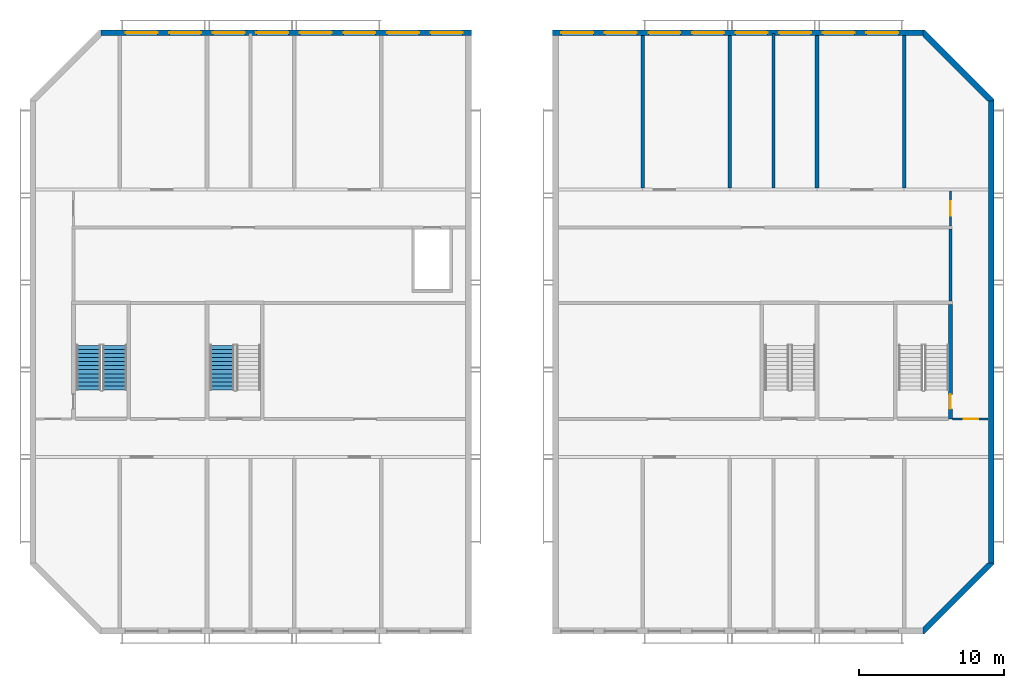
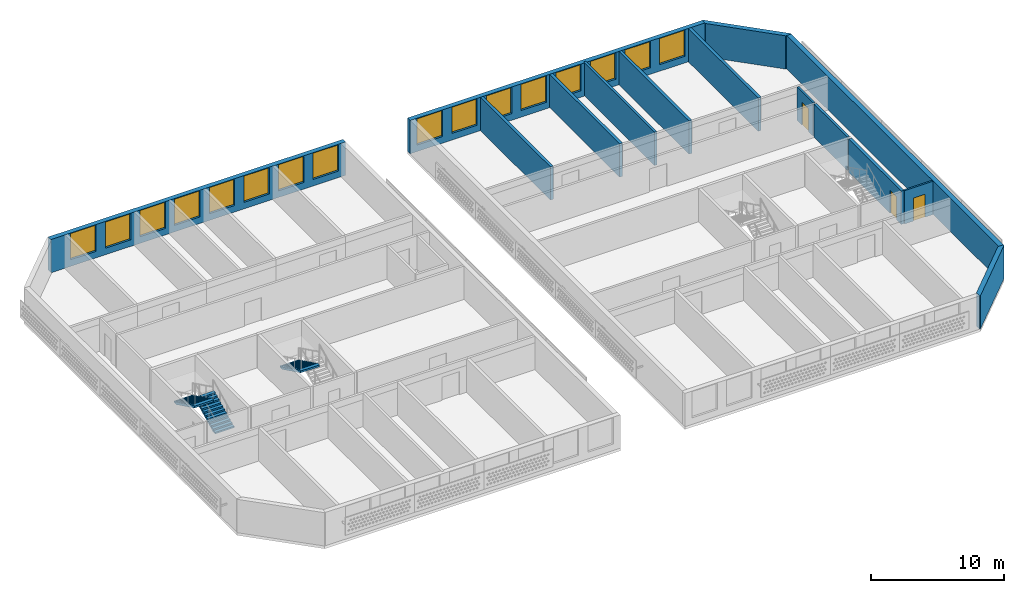
# One storey, part 4 of 18: 16 windows, 14 walls, 3 doors, 3 stair flights, 19 openings, 2 elements without a shape of their own.
"""IFC4 building model written with IfcOpenShell, lengths in metres."""

import ifcopenshell
import ifcopenshell.guid

model = None  # the IFC model being written
_history = None  # IfcOwnerHistory: only IFC2X3 demands one
_inside = {}  # id of a spatial element -> (the spatial element, [elements in it])
_under = {}  # id of a project, library or spatial element -> (it, [spatial elements below it])
_declared = {}  # id of a project -> (the project, [libraries it declares])
_typed = {}  # id of a type object -> (the type object, [elements of that type])
_made_of = {}  # id of a material, layer set ... -> (it, [elements and type objects made of it])


def new_model(schema):
    """Start an empty IFC model of exactly this schema.

    Asked for "IFC4X3", IfcOpenShell would pick the latest addendum, in which some entities
    have other attributes; the version numbers below select the first issue.
    IFC2X3 requires an IfcOwnerHistory on every rooted entity: one is made here for all.
    """
    global model, _history
    if schema == "IFC4X3":
        model = ifcopenshell.file(schema_version=(4, 3, 0, 0))
    else:
        model = ifcopenshell.file(schema=schema)
    _inside.clear()
    _under.clear()
    _declared.clear()
    _typed.clear()
    _made_of.clear()
    _history = None
    if model.schema == "IFC2X3":
        org = make("IfcOrganization", Name="unknown")
        user = make(
            "IfcPersonAndOrganization",
            ThePerson=make("IfcPerson", FamilyName="unknown"),
            TheOrganization=org,
        )
        app = make(
            "IfcApplication",
            ApplicationDeveloper=org,
            Version="unknown",
            ApplicationFullName="unknown",
            ApplicationIdentifier="unknown",
        )
        _history = make(
            "IfcOwnerHistory",
            OwningUser=user,
            OwningApplication=app,
            ChangeAction="ADDED",
            CreationDate=0,
        )
    return model


def make(cls, **values):
    """One entity of the class cls with the attributes given. An attribute that is None is left unset."""
    return model.create_entity(
        cls, **{name: value for name, value in values.items() if value is not None}
    )


def rooted(cls, **values):
    """An entity with a GlobalId (a new one), such as an element, a storey or a relation."""
    return make(cls, GlobalId=ifcopenshell.guid.new(), OwnerHistory=_history, **values)


def si_unit(unit_type, name, prefix=None):
    """IfcSIUnit, for example si_unit("LENGTHUNIT", "METRE", prefix="MILLI")."""
    return make("IfcSIUnit", UnitType=unit_type, Prefix=prefix, Name=name)


def assignment(units):
    """IfcUnitAssignment: the units of a project."""
    return None if units is None else make("IfcUnitAssignment", Units=units)


def point(xyz):
    """IfcCartesianPoint."""
    return None if xyz is None else make("IfcCartesianPoint", Coordinates=xyz)


def direction(xyz):
    """IfcDirection."""
    return None if xyz is None else make("IfcDirection", DirectionRatios=xyz)


def frame(location, z_axis=None, x_axis=None):
    """IfcAxis2Placement3D, a coordinate frame: its origin and axes. An axis left out is left unset."""
    return make(
        "IfcAxis2Placement3D",
        Location=point(location),
        Axis=direction(z_axis),
        RefDirection=direction(x_axis),
    )


def frame_2d(location, x_axis=None):
    """IfcAxis2Placement2D, a coordinate frame in the plane: its origin and x axis."""
    return make(
        "IfcAxis2Placement2D", Location=point(location), RefDirection=direction(x_axis)
    )


def origin():
    """The frame at (0, 0, 0) with its axes left unset."""
    return frame((0.0, 0.0, 0.0))


def place(relative_to, where):
    """IfcLocalPlacement: puts the frame where relative to a parent placement (None: the world)."""
    return make(
        "IfcLocalPlacement", PlacementRelTo=relative_to, RelativePlacement=where
    )


def context(
    kind, dimensions, precision=None, world=None, true_north=None, identifier=None
):
    """IfcGeometricRepresentationContext, for example the 3D "Model" context."""
    return make(
        "IfcGeometricRepresentationContext",
        ContextIdentifier=identifier,
        ContextType=kind,
        CoordinateSpaceDimension=dimensions,
        Precision=precision,
        WorldCoordinateSystem=world,
        TrueNorth=true_north,
    )


def subcontext(parent, identifier, kind, view, scale=None):
    """IfcGeometricRepresentationSubContext, for example "Body" below "Model"."""
    return make(
        "IfcGeometricRepresentationSubContext",
        ContextIdentifier=identifier,
        ContextType=kind,
        ParentContext=parent,
        TargetScale=scale,
        TargetView=view,
    )


def project(units=None, contexts=None):
    """IfcProject with its units and contexts."""
    return rooted(
        "IfcProject",
        Name="project",
        RepresentationContexts=contexts,
        UnitsInContext=assignment(units),
    )


def spatial(cls, under=None, at=None, **own):
    """A site, building, storey or space (cls), placed at a placement, below another one or the project."""
    s = rooted(cls, ObjectPlacement=at, **own)
    if under is not None:
        _under.setdefault(under.id(), (under, []))[1].append(s)
    return s


def polyline(points):
    """IfcPolyline through the points."""
    return make("IfcPolyline", Points=[point(p) for p in points])


def profile(cls, at=None, kind="AREA", **sizes):
    """A parametric profile (cls). Its sizes go by their IFC names, for example OverallWidth=200.0."""
    return make(cls, ProfileType=kind, Position=at, **sizes)


def rectangle(**sizes):
    """IfcRectangleProfileDef."""
    return profile("IfcRectangleProfileDef", **sizes)


def outline(outer, holes=None, kind="AREA"):
    """IfcArbitraryClosedProfileDef: a profile drawn as a closed curve; with holes, ...WithVoids."""
    if holes is None:
        return make("IfcArbitraryClosedProfileDef", ProfileType=kind, OuterCurve=outer)
    return make(
        "IfcArbitraryProfileDefWithVoids",
        ProfileType=kind,
        OuterCurve=outer,
        InnerCurves=holes,
    )


def extrude(swept, where, along, depth):
    """IfcExtrudedAreaSolid: the profile swept, set in the frame where, extruded along a direction by depth."""
    return make(
        "IfcExtrudedAreaSolid",
        SweptArea=swept,
        Position=where,
        ExtrudedDirection=direction(along),
        Depth=depth,
    )


def shape(context_of_items, identifier, shape_type, items):
    """IfcShapeRepresentation: the items that make up one representation, for example the "Body"."""
    return make(
        "IfcShapeRepresentation",
        ContextOfItems=context_of_items,
        RepresentationIdentifier=identifier,
        RepresentationType=shape_type,
        Items=items,
    )


def material(Name=None, Category=None):
    """IfcMaterial."""
    return make("IfcMaterial", Name=Name, Category=Category)


def layer(
    of_material, thickness, ventilated=None, Name=None, Category=None, Priority=None
):
    """IfcMaterialLayer: one layer of a wall or slab, of a material (None: an air gap)."""
    return make(
        "IfcMaterialLayer",
        Material=of_material,
        LayerThickness=thickness,
        IsVentilated=ventilated,
        Name=Name,
        Category=Category,
        Priority=Priority,
    )


def layer_set(layers, Name=None):
    """IfcMaterialLayerSet."""
    return make("IfcMaterialLayerSet", MaterialLayers=layers, LayerSetName=Name)


def made_of(thing, what):
    """Note that an element or type object is made of a material, layer set ...; save() writes the relation."""
    if what is not None:
        _made_of.setdefault(what.id(), (what, []))[1].append(thing)
    return thing


def type_object(cls, material=None, **own):
    """A type object (cls), such as IfcWallType, which elements share."""
    return made_of(rooted(cls, **own), material)


def element(
    cls,
    number,
    at=None,
    inside=None,
    cuts=None,
    type_object=None,
    material=None,
    context=None,
    identifier="Body",
    shape_type=None,
    held_by="IfcProductDefinitionShape",
    body=None,
    shapes=None,
    **own,
):
    """One element of the class cls, such as IfcWall. Its Tag is "e" and its number.

    at: its placement. inside: the storey or other place that contains it. cuts: it is an
    opening in that element (IfcRelVoidsElement). A single representation is given by context,
    identifier, shape_type and body (its items); several are given by shapes. held_by: the class
    of the entity that holds the representations. save() writes the other relations.
    """
    e = rooted(cls, Tag="e%d" % number, ObjectPlacement=at, **own)
    if body is not None:
        shapes = [shape(context, identifier, shape_type, body)]
    if shapes is not None:
        e.Representation = make(held_by, Representations=shapes)
    if inside is not None:
        _inside.setdefault(inside.id(), (inside, []))[1].append(e)
    if cuts is not None:
        rooted(
            "IfcRelVoidsElement", RelatingBuildingElement=cuts, RelatedOpeningElement=e
        )
    if type_object is not None:
        _typed.setdefault(type_object.id(), (type_object, []))[1].append(e)
    return made_of(e, material)


def fill(opening, filler):
    """IfcRelFillsElement: the door or window that sits in an opening."""
    return rooted(
        "IfcRelFillsElement",
        RelatingOpeningElement=opening,
        RelatedBuildingElement=filler,
    )


def aggregate(whole, parts):
    """IfcRelAggregates: a whole, such as a stair, and the parts it consists of."""
    return rooted("IfcRelAggregates", RelatingObject=whole, RelatedObjects=parts)


def save(model, path):
    """Write the relations noted so far, then the file.

    IfcRelAggregates (storeys below a building ...), IfcRelContainedInSpatialStructure (elements
    in a storey), IfcRelDefinesByType, IfcRelAssociatesMaterial and IfcRelDeclares: one each for
    every whole, place, type object, material and project.
    """
    for whole, parts in _under.values():
        aggregate(whole, parts)
    for where, things in _inside.values():
        rooted(
            "IfcRelContainedInSpatialStructure",
            RelatedElements=things,
            RelatingStructure=where,
        )
    for kind, things in _typed.values():
        rooted("IfcRelDefinesByType", RelatedObjects=things, RelatingType=kind)
    for what, things in _made_of.values():
        rooted("IfcRelAssociatesMaterial", RelatedObjects=things, RelatingMaterial=what)
    for by, libraries in _declared.values():
        rooted("IfcRelDeclares", RelatingContext=by, RelatedDefinitions=libraries)
    model.write(path)


model = new_model("IFC4")

# Units and contexts
model_context = context("Model", 3, precision=1e-05, world=origin(), true_north=direction((0.0, 1.0)))
body_context = subcontext(model_context, "Body", "Model", "MODEL_VIEW")
ifc_project = project(units=[si_unit("LENGTHUNIT", "METRE"), si_unit("AREAUNIT", "SQUARE_METRE"), si_unit("VOLUMEUNIT", "CUBIC_METRE"), si_unit("PLANEANGLEUNIT", "RADIAN"), si_unit("MASSUNIT", "GRAM", prefix="KILO")], contexts=[model_context])

# Site, building, storey
site_placement = place(None, origin())
site = spatial("IfcSite", under=ifc_project, at=site_placement, CompositionType="ELEMENT")
building_placement = place(site_placement, origin())
building = spatial("IfcBuilding", under=site, at=building_placement, Name="Poui Terraces", CompositionType="ELEMENT")
storey_placement = place(building_placement, frame((0.0, 0.0, 275.699951171875)))
storey = spatial("IfcBuildingStorey", under=building, at=storey_placement, Name="L76 CROWN", CompositionType="ELEMENT", Elevation=275.699951171875)

# Wall, opening, door
ifc_material_1 = material(Name="Fire-rated plasterboard wall")
ifc_layer_1 = layer(ifc_material_1, 0.14990234375)
ifc_layer_set_1 = layer_set([ifc_layer_1], Name="Fire-rated plasterboard wall")
wall_type_1 = type_object("IfcWallType", Name="CORRIDOR WALL 150", PredefinedType="PARTITIONING", material=ifc_layer_set_1)
wall_1_placement = place(storey_placement, frame((81.3349609375, 14.60009765625, 0.0), z_axis=(0.0, 0.0, 1.0), x_axis=(1.0, 0.0, 0.0)))
wall_1 = element("IfcWall", 1, at=wall_1_placement, inside=storey, type_object=wall_type_1, Name="CORRIDOR WALL 150", PredefinedType="PARTITIONING", context=body_context, shape_type="SweptSolid", body=[
    extrude(rectangle(XDim=2.455078125, YDim=0.14990234375, at=frame_2d((1.2275390625, 0.0))), origin(), (0.0, 0.0, 1.0), 3.050048828125),
])
opening_1_placement = place(wall_1_placement, frame((0.764892578125, 0.0, 0.0)))
opening_1 = element("IfcOpeningElement", 2, at=opening_1_placement, cuts=wall_1, Name="Opening FDL", PredefinedType="OPENING", context=body_context, shape_type="SweptSolid", body=[
    extrude(rectangle(XDim=1.0, YDim=2.10009765625, at=frame_2d((0.5, 1.050048828125))), frame((0.0, 0.0849609375, 0.0), z_axis=(0.0, -1.0, 0.0), x_axis=(1.0, 0.0, 0.0)), (0.0, 0.0, 1.0), 0.169921875),
])
ifc_material_2 = material(Name="Steel fire door", Category="steel")
door_type_1 = type_object("IfcDoorType", Name="LOBBY FIRE DOOR 1000 X 2100", OperationType="NOTDEFINED", PredefinedType="DOOR", material=ifc_material_2)
door_1_placement = place(opening_1_placement, origin())
door_1 = element("IfcDoor", 3, at=door_1_placement, inside=storey, type_object=door_type_1, Name="LOBBY FIRE DOOR 010", OperationType="SINGLE_SWING_LEFT", OverallHeight=2.10009765625, OverallWidth=1.0, PredefinedType="DOOR", context=body_context, shape_type="SweptSolid", body=[
    extrude(rectangle(XDim=1.0, YDim=2.10009765625, at=frame_2d((0.5, 1.050048828125))), frame((0.0, 0.02490234375, 0.0), z_axis=(0.0, -1.0, 0.0), x_axis=(1.0, 0.0, 0.0)), (0.0, 0.0, 1.0), 0.050048828125),
])
fill(opening_1, door_1)

wall_2_placement = place(storey_placement, frame((81.199951171875, 27.89990234375, 0.0), z_axis=(0.0, 0.0, 1.0), x_axis=(0.0, 1.0, 0.0)))
wall_2 = element("IfcWall", 4, at=wall_2_placement, inside=storey, type_object=wall_type_1, Name="CORRIDOR WALL 150", PredefinedType="PARTITIONING", context=body_context, shape_type="SweptSolid", body=[
    extrude(rectangle(XDim=2.39013671875, YDim=0.14990234375, at=frame_2d((1.195068359375, 0.0))), origin(), (0.0, 0.0, 1.0), 3.050048828125),
])
opening_2_placement = place(wall_2_placement, frame((0.699951171875, 0.0, 0.0)))
opening_2 = element("IfcOpeningElement", 5, at=opening_2_placement, cuts=wall_2, Name="Opening FDL", PredefinedType="OPENING", context=body_context, shape_type="SweptSolid", body=[
    extrude(rectangle(XDim=1.0, YDim=2.10009765625, at=frame_2d((0.5, 1.050048828125))), frame((0.0, 0.0849609375, 0.0), z_axis=(0.0, -1.0, 0.0), x_axis=(1.0, 0.0, 0.0)), (0.0, 0.0, 1.0), 0.169921875),
])
door_2_placement = place(opening_2_placement, frame((1.0, 0.0, 0.0), z_axis=(0.0, 0.0, 1.0), x_axis=(-1.0, 0.0, 0.0)))
door_2 = element("IfcDoor", 6, at=door_2_placement, inside=storey, type_object=door_type_1, Name="LOBBY FIRE DOOR 009", OperationType="SINGLE_SWING_RIGHT", OverallHeight=2.10009765625, OverallWidth=1.0, PredefinedType="DOOR", context=body_context, shape_type="SweptSolid", body=[
    extrude(rectangle(XDim=1.0, YDim=2.10009765625, at=frame_2d((0.5, 1.050048828125))), frame((0.0, 0.02490234375, 0.0), z_axis=(0.0, -1.0, 0.0), x_axis=(1.0, 0.0, 0.0)), (0.0, 0.0, 1.0), 0.050048828125),
])
fill(opening_2, door_2)

# Walls
ifc_material_3 = material(Name="Concrete 50 MPa", Category="concrete")
ifc_layer_2 = layer(ifc_material_3, 0.25)
ifc_layer_set_2 = layer_set([ifc_layer_2], Name="Concrete 50 MPa")
wall_type_2 = type_object("IfcWallType", Name="CROSS WALL 250 50MPa", PredefinedType="SHEAR", material=ifc_layer_set_2)
for number, where, z_axis, x_axis, name in (
    (7, (60.0, 30.5, 0.0), (0.0, 0.0, 1.0), (0.0, 1.0, 0.0), "CROSS WALL LINE 11 NORTH"),
    (8, (66.0, 30.5, 0.0), (0.0, 0.0, 1.0), (0.0, 1.0, 0.0), "CROSS WALL LINE 12 NORTH"),
    (9, (72.0, 30.5, 0.0), (0.0, 0.0, 1.0), (0.0, 1.0, 0.0), "CROSS WALL LINE 13 NORTH"),
    (10, (78.0, 30.5, 0.0), (0.0, 0.0, 1.0), (0.0, 1.0, 0.0), "CROSS WALL LINE 14 NORTH"),
):
    element("IfcWall", number, at=place(storey_placement, frame(where, z_axis=z_axis, x_axis=x_axis)), inside=storey, type_object=wall_type_2, Name=name, PredefinedType="SHEAR", context=body_context, shape_type="SweptSolid", body=[
        extrude(rectangle(XDim=10.5, YDim=0.25, at=frame_2d((5.25, 0.0))), origin(), (0.0, 0.0, 1.0), 3.050048828125),
    ])
ifc_layer_3 = layer(ifc_material_3, 0.39990234375)
ifc_layer_set_3 = layer_set([ifc_layer_3], Name="Concrete 50 MPa")
wall_type_3 = type_object("IfcWallType", Name="END WALL 400 50MPa", PredefinedType="SHEAR", material=ifc_layer_set_3)
wall_3_placement = place(storey_placement, frame((84.0, 4.682861328125, 0.0), z_axis=(0.0, 0.0, 1.0), x_axis=(0.0, 1.0, 0.0)))
element("IfcWall", 11, at=wall_3_placement, inside=storey, type_object=wall_type_3, Name="END WALL LINE 15", PredefinedType="SHEAR", context=body_context, shape_type="SweptSolid", body=[
    extrude(rectangle(XDim=31.834228515625, YDim=0.39990234375, at=frame_2d((15.9169921875, 0.0))), origin(), (0.0, 0.0, 1.0), 3.050048828125),
])

# Wall, openings, windows
ifc_material_4 = material(Name="Precast concrete 40 MPa", Category="concrete")
ifc_layer_4 = layer(ifc_material_4, 0.39990234375)
ifc_layer_set_4 = layer_set([ifc_layer_4], Name="Precast concrete 40 MPa")
wall_type_4 = type_object("IfcWallType", Name="EXTERNAL WALL 400", PredefinedType="STANDARD", material=ifc_layer_set_4)
wall_4_placement = place(storey_placement, frame((48.199951171875, 41.199951171875, 0.0), z_axis=(0.0, 0.0, 1.0), x_axis=(-1.0, 0.0, 0.0)))
wall_4 = element("IfcWall", 12, at=wall_4_placement, inside=storey, type_object=wall_type_4, Name="EXTERNAL WALL N", PredefinedType="STANDARD", context=body_context, shape_type="SweptSolid", body=[
    extrude(rectangle(XDim=25.51708984375, YDim=0.39990234375, at=frame_2d((12.758544921875, 0.0))), origin(), (0.0, 0.0, 1.0), 3.050048828125),
])
opening_3_placement = place(wall_4_placement, frame((21.60009765625, 0.0, 0.60009765625)))
opening_3 = element("IfcOpeningElement", 13, at=opening_3_placement, cuts=wall_4, Name="Opening W5", PredefinedType="OPENING", context=body_context, shape_type="SweptSolid", body=[
    extrude(rectangle(XDim=2.199951171875, YDim=2.39990234375, at=frame_2d((1.10009765625, 1.199951171875))), frame((0.0, 0.2099609375, 0.0), z_axis=(0.0, -1.0, 0.0), x_axis=(1.0, 0.0, 0.0)), (0.0, 0.0, 1.0), 0.419921875),
])
opening_4_placement = place(wall_4_placement, frame((18.60009765625, 0.0, 0.60009765625)))
opening_4 = element("IfcOpeningElement", 14, at=opening_4_placement, cuts=wall_4, Name="Opening W5", PredefinedType="OPENING", context=body_context, shape_type="SweptSolid", body=[
    extrude(rectangle(XDim=2.199951171875, YDim=2.39990234375, at=frame_2d((1.10009765625, 1.199951171875))), frame((0.0, 0.2099609375, 0.0), z_axis=(0.0, -1.0, 0.0), x_axis=(1.0, 0.0, 0.0)), (0.0, 0.0, 1.0), 0.419921875),
])
opening_5_placement = place(wall_4_placement, frame((15.60009765625, 0.0, 0.60009765625)))
opening_5 = element("IfcOpeningElement", 15, at=opening_5_placement, cuts=wall_4, Name="Opening W5", PredefinedType="OPENING", context=body_context, shape_type="SweptSolid", body=[
    extrude(rectangle(XDim=2.199951171875, YDim=2.39990234375, at=frame_2d((1.10009765625, 1.199951171875))), frame((0.0, 0.2099609375, 0.0), z_axis=(0.0, -1.0, 0.0), x_axis=(1.0, 0.0, 0.0)), (0.0, 0.0, 1.0), 0.419921875),
])
opening_6_placement = place(wall_4_placement, frame((12.60009765625, 0.0, 0.60009765625)))
opening_6 = element("IfcOpeningElement", 16, at=opening_6_placement, cuts=wall_4, Name="Opening W5", PredefinedType="OPENING", context=body_context, shape_type="SweptSolid", body=[
    extrude(rectangle(XDim=2.199951171875, YDim=2.39990234375, at=frame_2d((1.10009765625, 1.199951171875))), frame((0.0, 0.2099609375, 0.0), z_axis=(0.0, -1.0, 0.0), x_axis=(1.0, 0.0, 0.0)), (0.0, 0.0, 1.0), 0.419921875),
])
opening_7_placement = place(wall_4_placement, frame((9.60009765625, 0.0, 0.60009765625)))
opening_7 = element("IfcOpeningElement", 17, at=opening_7_placement, cuts=wall_4, Name="Opening W5", PredefinedType="OPENING", context=body_context, shape_type="SweptSolid", body=[
    extrude(rectangle(XDim=2.199951171875, YDim=2.39990234375, at=frame_2d((1.10009765625, 1.199951171875))), frame((0.0, 0.2099609375, 0.0), z_axis=(0.0, -1.0, 0.0), x_axis=(1.0, 0.0, 0.0)), (0.0, 0.0, 1.0), 0.419921875),
])
opening_8_placement = place(wall_4_placement, frame((6.60009765625, 0.0, 0.60009765625)))
opening_8 = element("IfcOpeningElement", 18, at=opening_8_placement, cuts=wall_4, Name="Opening W5", PredefinedType="OPENING", context=body_context, shape_type="SweptSolid", body=[
    extrude(rectangle(XDim=2.199951171875, YDim=2.39990234375, at=frame_2d((1.10009765625, 1.199951171875))), frame((0.0, 0.2099609375, 0.0), z_axis=(0.0, -1.0, 0.0), x_axis=(1.0, 0.0, 0.0)), (0.0, 0.0, 1.0), 0.419921875),
])
opening_9_placement = place(wall_4_placement, frame((3.60009765625, 0.0, 0.60009765625)))
opening_9 = element("IfcOpeningElement", 19, at=opening_9_placement, cuts=wall_4, Name="Opening W5", PredefinedType="OPENING", context=body_context, shape_type="SweptSolid", body=[
    extrude(rectangle(XDim=2.199951171875, YDim=2.39990234375, at=frame_2d((1.10009765625, 1.199951171875))), frame((0.0, 0.2099609375, 0.0), z_axis=(0.0, -1.0, 0.0), x_axis=(1.0, 0.0, 0.0)), (0.0, 0.0, 1.0), 0.419921875),
])
opening_10_placement = place(wall_4_placement, frame((0.60009765625, 0.0, 0.60009765625)))
opening_10 = element("IfcOpeningElement", 20, at=opening_10_placement, cuts=wall_4, Name="Opening W5", PredefinedType="OPENING", context=body_context, shape_type="SweptSolid", body=[
    extrude(rectangle(XDim=2.199951171875, YDim=2.39990234375, at=frame_2d((1.10009765625, 1.199951171875))), frame((0.0, 0.2099609375, 0.0), z_axis=(0.0, -1.0, 0.0), x_axis=(1.0, 0.0, 0.0)), (0.0, 0.0, 1.0), 0.419921875),
])
ifc_material_5 = material(Name="Clear glass in aluminium frame", Category="aluminium")
window_type = type_object("IfcWindowType", Name="WINDOW 2200X2400", PartitioningType="TRIPLE_PANEL_HORIZONTAL", PredefinedType="WINDOW", material=ifc_material_5)
window_1_placement = place(opening_3_placement, origin())
window_1 = element("IfcWindow", 21, at=window_1_placement, inside=storey, type_object=window_type, Name="W5 WINDOW", OverallHeight=2.39990234375, OverallWidth=2.199951171875, PartitioningType="TRIPLE_PANEL_HORIZONTAL", PredefinedType="WINDOW", context=body_context, shape_type="SweptSolid", body=[
    extrude(rectangle(XDim=2.199951171875, YDim=2.39990234375, at=frame_2d((1.10009765625, 1.199951171875))), frame((0.0, 0.030029296875, 0.0), z_axis=(0.0, -1.0, 0.0), x_axis=(1.0, 0.0, 0.0)), (0.0, 0.0, 1.0), 0.06005859375),
])
fill(opening_3, window_1)
window_2_placement = place(opening_4_placement, origin())
window_2 = element("IfcWindow", 22, at=window_2_placement, inside=storey, type_object=window_type, Name="W5 WINDOW", OverallHeight=2.39990234375, OverallWidth=2.199951171875, PartitioningType="TRIPLE_PANEL_HORIZONTAL", PredefinedType="WINDOW", context=body_context, shape_type="SweptSolid", body=[
    extrude(rectangle(XDim=2.199951171875, YDim=2.39990234375, at=frame_2d((1.10009765625, 1.199951171875))), frame((0.0, 0.030029296875, 0.0), z_axis=(0.0, -1.0, 0.0), x_axis=(1.0, 0.0, 0.0)), (0.0, 0.0, 1.0), 0.06005859375),
])
fill(opening_4, window_2)
window_3_placement = place(opening_5_placement, origin())
window_3 = element("IfcWindow", 23, at=window_3_placement, inside=storey, type_object=window_type, Name="W5 WINDOW", OverallHeight=2.39990234375, OverallWidth=2.199951171875, PartitioningType="TRIPLE_PANEL_HORIZONTAL", PredefinedType="WINDOW", context=body_context, shape_type="SweptSolid", body=[
    extrude(rectangle(XDim=2.199951171875, YDim=2.39990234375, at=frame_2d((1.10009765625, 1.199951171875))), frame((0.0, 0.030029296875, 0.0), z_axis=(0.0, -1.0, 0.0), x_axis=(1.0, 0.0, 0.0)), (0.0, 0.0, 1.0), 0.06005859375),
])
fill(opening_5, window_3)
window_4_placement = place(opening_6_placement, origin())
window_4 = element("IfcWindow", 24, at=window_4_placement, inside=storey, type_object=window_type, Name="W5 WINDOW", OverallHeight=2.39990234375, OverallWidth=2.199951171875, PartitioningType="TRIPLE_PANEL_HORIZONTAL", PredefinedType="WINDOW", context=body_context, shape_type="SweptSolid", body=[
    extrude(rectangle(XDim=2.199951171875, YDim=2.39990234375, at=frame_2d((1.10009765625, 1.199951171875))), frame((0.0, 0.030029296875, 0.0), z_axis=(0.0, -1.0, 0.0), x_axis=(1.0, 0.0, 0.0)), (0.0, 0.0, 1.0), 0.06005859375),
])
fill(opening_6, window_4)
window_5_placement = place(opening_7_placement, origin())
window_5 = element("IfcWindow", 25, at=window_5_placement, inside=storey, type_object=window_type, Name="W5 WINDOW", OverallHeight=2.39990234375, OverallWidth=2.199951171875, PartitioningType="TRIPLE_PANEL_HORIZONTAL", PredefinedType="WINDOW", context=body_context, shape_type="SweptSolid", body=[
    extrude(rectangle(XDim=2.199951171875, YDim=2.39990234375, at=frame_2d((1.10009765625, 1.199951171875))), frame((0.0, 0.030029296875, 0.0), z_axis=(0.0, -1.0, 0.0), x_axis=(1.0, 0.0, 0.0)), (0.0, 0.0, 1.0), 0.06005859375),
])
fill(opening_7, window_5)
window_6_placement = place(opening_8_placement, origin())
window_6 = element("IfcWindow", 26, at=window_6_placement, inside=storey, type_object=window_type, Name="W5 WINDOW", OverallHeight=2.39990234375, OverallWidth=2.199951171875, PartitioningType="TRIPLE_PANEL_HORIZONTAL", PredefinedType="WINDOW", context=body_context, shape_type="SweptSolid", body=[
    extrude(rectangle(XDim=2.199951171875, YDim=2.39990234375, at=frame_2d((1.10009765625, 1.199951171875))), frame((0.0, 0.030029296875, 0.0), z_axis=(0.0, -1.0, 0.0), x_axis=(1.0, 0.0, 0.0)), (0.0, 0.0, 1.0), 0.06005859375),
])
fill(opening_8, window_6)
window_7_placement = place(opening_9_placement, origin())
window_7 = element("IfcWindow", 27, at=window_7_placement, inside=storey, type_object=window_type, Name="W5 WINDOW", OverallHeight=2.39990234375, OverallWidth=2.199951171875, PartitioningType="TRIPLE_PANEL_HORIZONTAL", PredefinedType="WINDOW", context=body_context, shape_type="SweptSolid", body=[
    extrude(rectangle(XDim=2.199951171875, YDim=2.39990234375, at=frame_2d((1.10009765625, 1.199951171875))), frame((0.0, 0.030029296875, 0.0), z_axis=(0.0, -1.0, 0.0), x_axis=(1.0, 0.0, 0.0)), (0.0, 0.0, 1.0), 0.06005859375),
])
fill(opening_9, window_7)
window_8_placement = place(opening_10_placement, origin())
window_8 = element("IfcWindow", 28, at=window_8_placement, inside=storey, type_object=window_type, Name="W5 WINDOW", OverallHeight=2.39990234375, OverallWidth=2.199951171875, PartitioningType="TRIPLE_PANEL_HORIZONTAL", PredefinedType="WINDOW", context=body_context, shape_type="SweptSolid", body=[
    extrude(rectangle(XDim=2.199951171875, YDim=2.39990234375, at=frame_2d((1.10009765625, 1.199951171875))), frame((0.0, 0.030029296875, 0.0), z_axis=(0.0, -1.0, 0.0), x_axis=(1.0, 0.0, 0.0)), (0.0, 0.0, 1.0), 0.06005859375),
])
fill(opening_10, window_8)

wall_5_placement = place(storey_placement, frame((79.317138671875, 41.199951171875, 0.0), z_axis=(0.0, 0.0, 1.0), x_axis=(-1.0, 0.0, 0.0)))
wall_5 = element("IfcWall", 29, at=wall_5_placement, inside=storey, type_object=wall_type_4, Name="EXTERNAL WALL N", PredefinedType="STANDARD", context=body_context, shape_type="SweptSolid", body=[
    extrude(rectangle(XDim=25.51708984375, YDim=0.39990234375, at=frame_2d((12.758544921875, 0.0))), origin(), (0.0, 0.0, 1.0), 3.050048828125),
])
opening_11_placement = place(wall_5_placement, frame((22.71728515625, 0.0, 0.60009765625)))
opening_11 = element("IfcOpeningElement", 30, at=opening_11_placement, cuts=wall_5, Name="Opening W5", PredefinedType="OPENING", context=body_context, shape_type="SweptSolid", body=[
    extrude(rectangle(XDim=2.199951171875, YDim=2.39990234375, at=frame_2d((1.10009765625, 1.199951171875))), frame((0.0, 0.2099609375, 0.0), z_axis=(0.0, -1.0, 0.0), x_axis=(1.0, 0.0, 0.0)), (0.0, 0.0, 1.0), 0.419921875),
])
opening_12_placement = place(wall_5_placement, frame((19.71728515625, 0.0, 0.60009765625)))
opening_12 = element("IfcOpeningElement", 31, at=opening_12_placement, cuts=wall_5, Name="Opening W5", PredefinedType="OPENING", context=body_context, shape_type="SweptSolid", body=[
    extrude(rectangle(XDim=2.199951171875, YDim=2.39990234375, at=frame_2d((1.10009765625, 1.199951171875))), frame((0.0, 0.2099609375, 0.0), z_axis=(0.0, -1.0, 0.0), x_axis=(1.0, 0.0, 0.0)), (0.0, 0.0, 1.0), 0.419921875),
])
opening_13_placement = place(wall_5_placement, frame((16.71728515625, 0.0, 0.60009765625)))
opening_13 = element("IfcOpeningElement", 32, at=opening_13_placement, cuts=wall_5, Name="Opening W5", PredefinedType="OPENING", context=body_context, shape_type="SweptSolid", body=[
    extrude(rectangle(XDim=2.199951171875, YDim=2.39990234375, at=frame_2d((1.10009765625, 1.199951171875))), frame((0.0, 0.2099609375, 0.0), z_axis=(0.0, -1.0, 0.0), x_axis=(1.0, 0.0, 0.0)), (0.0, 0.0, 1.0), 0.419921875),
])
opening_14_placement = place(wall_5_placement, frame((13.71728515625, 0.0, 0.60009765625)))
opening_14 = element("IfcOpeningElement", 33, at=opening_14_placement, cuts=wall_5, Name="Opening W5", PredefinedType="OPENING", context=body_context, shape_type="SweptSolid", body=[
    extrude(rectangle(XDim=2.199951171875, YDim=2.39990234375, at=frame_2d((1.10009765625, 1.199951171875))), frame((0.0, 0.2099609375, 0.0), z_axis=(0.0, -1.0, 0.0), x_axis=(1.0, 0.0, 0.0)), (0.0, 0.0, 1.0), 0.419921875),
])
opening_15_placement = place(wall_5_placement, frame((10.71728515625, 0.0, 0.60009765625)))
opening_15 = element("IfcOpeningElement", 34, at=opening_15_placement, cuts=wall_5, Name="Opening W5", PredefinedType="OPENING", context=body_context, shape_type="SweptSolid", body=[
    extrude(rectangle(XDim=2.199951171875, YDim=2.39990234375, at=frame_2d((1.10009765625, 1.199951171875))), frame((0.0, 0.2099609375, 0.0), z_axis=(0.0, -1.0, 0.0), x_axis=(1.0, 0.0, 0.0)), (0.0, 0.0, 1.0), 0.419921875),
])
opening_16_placement = place(wall_5_placement, frame((7.71728515625, 0.0, 0.60009765625)))
opening_16 = element("IfcOpeningElement", 35, at=opening_16_placement, cuts=wall_5, Name="Opening W5", PredefinedType="OPENING", context=body_context, shape_type="SweptSolid", body=[
    extrude(rectangle(XDim=2.199951171875, YDim=2.39990234375, at=frame_2d((1.10009765625, 1.199951171875))), frame((0.0, 0.2099609375, 0.0), z_axis=(0.0, -1.0, 0.0), x_axis=(1.0, 0.0, 0.0)), (0.0, 0.0, 1.0), 0.419921875),
])
opening_17_placement = place(wall_5_placement, frame((4.71728515625, 0.0, 0.60009765625)))
opening_17 = element("IfcOpeningElement", 36, at=opening_17_placement, cuts=wall_5, Name="Opening W5", PredefinedType="OPENING", context=body_context, shape_type="SweptSolid", body=[
    extrude(rectangle(XDim=2.199951171875, YDim=2.39990234375, at=frame_2d((1.10009765625, 1.199951171875))), frame((0.0, 0.2099609375, 0.0), z_axis=(0.0, -1.0, 0.0), x_axis=(1.0, 0.0, 0.0)), (0.0, 0.0, 1.0), 0.419921875),
])
opening_18_placement = place(wall_5_placement, frame((1.71728515625, 0.0, 0.60009765625)))
opening_18 = element("IfcOpeningElement", 37, at=opening_18_placement, cuts=wall_5, Name="Opening W5", PredefinedType="OPENING", context=body_context, shape_type="SweptSolid", body=[
    extrude(rectangle(XDim=2.199951171875, YDim=2.39990234375, at=frame_2d((1.10009765625, 1.199951171875))), frame((0.0, 0.2099609375, 0.0), z_axis=(0.0, -1.0, 0.0), x_axis=(1.0, 0.0, 0.0)), (0.0, 0.0, 1.0), 0.419921875),
])
window_9_placement = place(opening_11_placement, origin())
window_9 = element("IfcWindow", 38, at=window_9_placement, inside=storey, type_object=window_type, Name="W5 WINDOW", OverallHeight=2.39990234375, OverallWidth=2.199951171875, PartitioningType="TRIPLE_PANEL_HORIZONTAL", PredefinedType="WINDOW", context=body_context, shape_type="SweptSolid", body=[
    extrude(rectangle(XDim=2.199951171875, YDim=2.39990234375, at=frame_2d((1.10009765625, 1.199951171875))), frame((0.0, 0.030029296875, 0.0), z_axis=(0.0, -1.0, 0.0), x_axis=(1.0, 0.0, 0.0)), (0.0, 0.0, 1.0), 0.06005859375),
])
fill(opening_11, window_9)
window_10_placement = place(opening_12_placement, origin())
window_10 = element("IfcWindow", 39, at=window_10_placement, inside=storey, type_object=window_type, Name="W5 WINDOW", OverallHeight=2.39990234375, OverallWidth=2.199951171875, PartitioningType="TRIPLE_PANEL_HORIZONTAL", PredefinedType="WINDOW", context=body_context, shape_type="SweptSolid", body=[
    extrude(rectangle(XDim=2.199951171875, YDim=2.39990234375, at=frame_2d((1.10009765625, 1.199951171875))), frame((0.0, 0.030029296875, 0.0), z_axis=(0.0, -1.0, 0.0), x_axis=(1.0, 0.0, 0.0)), (0.0, 0.0, 1.0), 0.06005859375),
])
fill(opening_12, window_10)
window_11_placement = place(opening_13_placement, origin())
window_11 = element("IfcWindow", 40, at=window_11_placement, inside=storey, type_object=window_type, Name="W5 WINDOW", OverallHeight=2.39990234375, OverallWidth=2.199951171875, PartitioningType="TRIPLE_PANEL_HORIZONTAL", PredefinedType="WINDOW", context=body_context, shape_type="SweptSolid", body=[
    extrude(rectangle(XDim=2.199951171875, YDim=2.39990234375, at=frame_2d((1.10009765625, 1.199951171875))), frame((0.0, 0.030029296875, 0.0), z_axis=(0.0, -1.0, 0.0), x_axis=(1.0, 0.0, 0.0)), (0.0, 0.0, 1.0), 0.06005859375),
])
fill(opening_13, window_11)
window_12_placement = place(opening_14_placement, origin())
window_12 = element("IfcWindow", 41, at=window_12_placement, inside=storey, type_object=window_type, Name="W5 WINDOW", OverallHeight=2.39990234375, OverallWidth=2.199951171875, PartitioningType="TRIPLE_PANEL_HORIZONTAL", PredefinedType="WINDOW", context=body_context, shape_type="SweptSolid", body=[
    extrude(rectangle(XDim=2.199951171875, YDim=2.39990234375, at=frame_2d((1.10009765625, 1.199951171875))), frame((0.0, 0.030029296875, 0.0), z_axis=(0.0, -1.0, 0.0), x_axis=(1.0, 0.0, 0.0)), (0.0, 0.0, 1.0), 0.06005859375),
])
fill(opening_14, window_12)
window_13_placement = place(opening_15_placement, origin())
window_13 = element("IfcWindow", 42, at=window_13_placement, inside=storey, type_object=window_type, Name="W5 WINDOW", OverallHeight=2.39990234375, OverallWidth=2.199951171875, PartitioningType="TRIPLE_PANEL_HORIZONTAL", PredefinedType="WINDOW", context=body_context, shape_type="SweptSolid", body=[
    extrude(rectangle(XDim=2.199951171875, YDim=2.39990234375, at=frame_2d((1.10009765625, 1.199951171875))), frame((0.0, 0.030029296875, 0.0), z_axis=(0.0, -1.0, 0.0), x_axis=(1.0, 0.0, 0.0)), (0.0, 0.0, 1.0), 0.06005859375),
])
fill(opening_15, window_13)
window_14_placement = place(opening_16_placement, origin())
window_14 = element("IfcWindow", 43, at=window_14_placement, inside=storey, type_object=window_type, Name="W5 WINDOW", OverallHeight=2.39990234375, OverallWidth=2.199951171875, PartitioningType="TRIPLE_PANEL_HORIZONTAL", PredefinedType="WINDOW", context=body_context, shape_type="SweptSolid", body=[
    extrude(rectangle(XDim=2.199951171875, YDim=2.39990234375, at=frame_2d((1.10009765625, 1.199951171875))), frame((0.0, 0.030029296875, 0.0), z_axis=(0.0, -1.0, 0.0), x_axis=(1.0, 0.0, 0.0)), (0.0, 0.0, 1.0), 0.06005859375),
])
fill(opening_16, window_14)
window_15_placement = place(opening_17_placement, origin())
window_15 = element("IfcWindow", 44, at=window_15_placement, inside=storey, type_object=window_type, Name="W5 WINDOW", OverallHeight=2.39990234375, OverallWidth=2.199951171875, PartitioningType="TRIPLE_PANEL_HORIZONTAL", PredefinedType="WINDOW", context=body_context, shape_type="SweptSolid", body=[
    extrude(rectangle(XDim=2.199951171875, YDim=2.39990234375, at=frame_2d((1.10009765625, 1.199951171875))), frame((0.0, 0.030029296875, 0.0), z_axis=(0.0, -1.0, 0.0), x_axis=(1.0, 0.0, 0.0)), (0.0, 0.0, 1.0), 0.06005859375),
])
fill(opening_17, window_15)
window_16_placement = place(opening_18_placement, origin())
window_16 = element("IfcWindow", 45, at=window_16_placement, inside=storey, type_object=window_type, Name="W5 WINDOW", OverallHeight=2.39990234375, OverallWidth=2.199951171875, PartitioningType="TRIPLE_PANEL_HORIZONTAL", PredefinedType="WINDOW", context=body_context, shape_type="SweptSolid", body=[
    extrude(rectangle(XDim=2.199951171875, YDim=2.39990234375, at=frame_2d((1.10009765625, 1.199951171875))), frame((0.0, 0.030029296875, 0.0), z_axis=(0.0, -1.0, 0.0), x_axis=(1.0, 0.0, 0.0)), (0.0, 0.0, 1.0), 0.06005859375),
])
fill(opening_18, window_16)

# Walls
ifc_material_6 = material(Name="Fire-rated masonry wall", Category="masonry")
ifc_layer_5 = layer(ifc_material_6, 0.199951171875)
ifc_layer_set_5 = layer_set([ifc_layer_5], Name="Fire-rated masonry wall")
wall_type_5 = type_object("IfcWallType", Name="PLANT ROOM WALL 200", PredefinedType="PARTITIONING", material=ifc_layer_set_5)
wall_6_placement = place(storey_placement, frame((69.0, 30.510009765625, 0.0), z_axis=(0.0, 0.0, 1.0), x_axis=(0.0, 1.0, 0.0)))
element("IfcWall", 46, at=wall_6_placement, inside=storey, type_object=wall_type_5, Name="PLANT ROOM WALL 200", PredefinedType="PARTITIONING", context=body_context, shape_type="SweptSolid", body=[
    extrude(rectangle(XDim=10.6298828125, YDim=0.199951171875, at=frame_2d((5.31494140625, 0.0))), origin(), (0.0, 0.0, 1.0), 3.050048828125),
])
wall_7_placement = place(storey_placement, frame((81.199951171875, 22.735107421875, 0.0), z_axis=(0.0, 0.0, 1.0), x_axis=(0.0, 1.0, 0.0)))
element("IfcWall", 47, at=wall_7_placement, inside=storey, type_object=wall_type_5, Name="PLANT ROOM WALL 200", PredefinedType="PARTITIONING", context=body_context, shape_type="SweptSolid", body=[
    extrude(rectangle(XDim=4.96484375, YDim=0.199951171875, at=frame_2d((2.482421875, 0.0))), origin(), (0.0, 0.0, 1.0), 3.050048828125),
])

# Wall, opening, door
ifc_layer_6 = layer(ifc_material_3, 0.25)
ifc_layer_set_6 = layer_set([ifc_layer_6], Name="Concrete 50 MPa")
wall_type_6 = type_object("IfcWallType", Name="STAIR CORE WALL 250 50 MPA", PredefinedType="SOLIDWALL", material=ifc_layer_set_6)
wall_8_placement = place(storey_placement, frame((81.199951171875, 14.60009765625, 0.0), z_axis=(0.0, 0.0, 1.0), x_axis=(0.0, 1.0, 0.0)))
wall_8 = element("IfcWall", 48, at=wall_8_placement, inside=storey, type_object=wall_type_6, Name="STAIR CORE WALL", PredefinedType="SOLIDWALL", context=body_context, shape_type="SweptSolid", body=[
    extrude(rectangle(XDim=7.875, YDim=0.25, at=frame_2d((3.9375, 0.0))), origin(), (0.0, 0.0, 1.0), 3.050048828125),
])
opening_19_placement = place(wall_8_placement, frame((0.699951171875, 0.0, 0.0)))
opening_19 = element("IfcOpeningElement", 49, at=opening_19_placement, cuts=wall_8, Name="Opening FD60S", PredefinedType="OPENING", context=body_context, shape_type="SweptSolid", body=[
    extrude(rectangle(XDim=1.0, YDim=2.10009765625, at=frame_2d((0.5, 1.050048828125))), frame((0.0, 0.135009765625, 0.0), z_axis=(0.0, -1.0, 0.0), x_axis=(1.0, 0.0, 0.0)), (0.0, 0.0, 1.0), 0.27001953125),
])
door_type_2 = type_object("IfcDoorType", Name="STAIR DOOR 1000 X 2100", OperationType="NOTDEFINED", PredefinedType="DOOR", material=ifc_material_2)
door_3_placement = place(opening_19_placement, origin())
door_3 = element("IfcDoor", 50, at=door_3_placement, inside=storey, type_object=door_type_2, Name="STAIR DOOR 008", OperationType="SINGLE_SWING_LEFT", OverallHeight=2.10009765625, OverallWidth=1.0, PredefinedType="DOOR", context=body_context, shape_type="SweptSolid", body=[
    extrude(rectangle(XDim=1.0, YDim=2.10009765625, at=frame_2d((0.5, 1.050048828125))), frame((0.0, 0.02490234375, 0.0), z_axis=(0.0, -1.0, 0.0), x_axis=(1.0, 0.0, 0.0)), (0.0, 0.0, 1.0), 0.050048828125),
])
fill(opening_19, door_3)

# Walls
ifc_layer_7 = layer(ifc_material_4, 0.39990234375)
ifc_layer_set_7 = layer_set([ifc_layer_7], Name="Precast concrete 40 MPa")
wall_type_7 = type_object("IfcWallType", Name="TERRACOTTA CLAD CHAMFER WALL 400", PredefinedType="STANDARD", material=ifc_layer_set_7)
wall_9_placement = place(storey_placement, origin())
element("IfcWall", 51, at=wall_9_placement, inside=storey, type_object=wall_type_7, Name="CHAMFER WALL CH11", PredefinedType="STANDARD", context=body_context, shape_type="SweptSolid", body=[
    extrude(outline(polyline([(79.317138671875, -0.199951171875), (79.39990234375, -0.199951171875), (84.199951171875, 4.60009765625), (84.199951171875, 4.682861328125), (83.71728515625, 4.682861328125), (79.317138671875, 0.28271484375), (79.317138671875, -0.199951171875)])), origin(), (0.0, 0.0, 1.0), 3.050048828125),
])
wall_10_placement = place(storey_placement, origin())
element("IfcWall", 52, at=wall_10_placement, inside=storey, type_object=wall_type_7, Name="CHAMFER WALL CH13", PredefinedType="STANDARD", context=body_context, shape_type="SweptSolid", body=[
    extrude(outline(polyline([(84.199951171875, 36.51708984375), (84.199951171875, 36.60009765625), (79.39990234375, 41.39990234375), (79.317138671875, 41.39990234375), (79.317138671875, 40.917236328125), (83.71728515625, 36.51708984375), (84.199951171875, 36.51708984375)])), origin(), (0.0, 0.0, 1.0), 3.050048828125),
])

# Stair, stair flight
stair_type = type_object("IfcStairType", Name="EXIT STAIR 1650 50 MPA", PredefinedType="HALF_TURN_STAIR", material=ifc_material_3)
stair_1_placement = place(storey_placement, origin())
stair_1 = element("IfcStair", 53, at=stair_1_placement, inside=storey, type_object=stair_type, Name="L76 CROWN CORE STAIR WEST", PredefinedType="HALF_TURN_STAIR")
ifc_layer_8 = layer(ifc_material_3, 0.14990234375)
ifc_layer_set_8 = layer_set([ifc_layer_8], Name="Concrete 50 MPa")
stair_flight_type = type_object("IfcStairFlightType", Name="STAIR FLIGHT 12 RISERS 138 RISE 50 MPA", PredefinedType="STRAIGHT", material=ifc_layer_set_8)
stair_flight_1_placement = place(storey_placement, frame((31.050048828125, 19.679931640625, 1.650146484375), z_axis=(0.0, 0.0, 1.0), x_axis=(0.0, -1.0, 0.0)))
stair_flight_1 = element("IfcStairFlight", 54, at=stair_flight_1_placement, type_object=stair_flight_type, Name="ST-CW flight 2", NumberOfRisers=12, NumberOfTreads=11, PredefinedType="STRAIGHT", RiserHeight=0.1375, TreadLength=0.28, context=body_context, shape_type="SweptSolid", body=[
    extrude(outline(polyline([(0.0, 0.0), (0.0, 0.137451171875), (0.280029296875, 0.137451171875), (0.280029296875, 0.27490234375), (0.56005859375, 0.27490234375), (0.56005859375, 0.41259765625), (0.840087890625, 0.41259765625), (0.840087890625, 0.550048828125), (1.1201171875, 0.550048828125), (1.1201171875, 0.6875), (1.39990234375, 0.6875), (1.39990234375, 0.824951171875), (1.679931640625, 0.824951171875), (1.679931640625, 0.96240234375), (1.9599609375, 0.96240234375), (1.9599609375, 1.10009765625), (2.239990234375, 1.10009765625), (2.239990234375, 1.237548828125), (2.52001953125, 1.237548828125), (2.52001953125, 1.375), (2.800048828125, 1.375), (2.800048828125, 1.512451171875), (3.080078125, 1.512451171875), (3.080078125, 1.64990234375), (3.080078125, 1.345458984375), (0.340087890625, 0.0), (0.0, 0.0)])), frame((0.0, 0.824951171875, 0.0), z_axis=(0.0, -1.0, 0.0), x_axis=(1.0, 0.0, 0.0)), (0.0, 0.0, 1.0), 1.64990234375),
])
aggregate(stair_1, [stair_flight_1])

# Stair, stair flights
stair_2_placement = place(storey_placement, origin())
stair_2 = element("IfcStair", 55, at=stair_2_placement, inside=storey, type_object=stair_type, Name="L76 CROWN TIP STAIR WEST", PredefinedType="HALF_TURN_STAIR")
stair_flight_2_placement = place(storey_placement, frame((23.64990234375, 16.60009765625, 0.0), z_axis=(0.0, 0.0, 1.0), x_axis=(0.0, 1.0, 0.0)))
stair_flight_2 = element("IfcStairFlight", 56, at=stair_flight_2_placement, type_object=stair_flight_type, Name="ST-W flight 1", NumberOfRisers=12, NumberOfTreads=11, PredefinedType="STRAIGHT", RiserHeight=0.1375, TreadLength=0.28, context=body_context, shape_type="SweptSolid", body=[
    extrude(outline(polyline([(0.0, 0.0), (0.0, 0.137451171875), (0.280029296875, 0.137451171875), (0.280029296875, 0.27490234375), (0.56005859375, 0.27490234375), (0.56005859375, 0.41259765625), (0.840087890625, 0.41259765625), (0.840087890625, 0.550048828125), (1.1201171875, 0.550048828125), (1.1201171875, 0.6875), (1.39990234375, 0.6875), (1.39990234375, 0.824951171875), (1.679931640625, 0.824951171875), (1.679931640625, 0.96240234375), (1.9599609375, 0.96240234375), (1.9599609375, 1.10009765625), (2.239990234375, 1.10009765625), (2.239990234375, 1.237548828125), (2.52001953125, 1.237548828125), (2.52001953125, 1.375), (2.800048828125, 1.375), (2.800048828125, 1.512451171875), (3.080078125, 1.512451171875), (3.080078125, 1.64990234375), (3.080078125, 1.345458984375), (0.340087890625, 0.0), (0.0, 0.0)])), frame((0.0, 0.824951171875, 0.0), z_axis=(0.0, -1.0, 0.0), x_axis=(1.0, 0.0, 0.0)), (0.0, 0.0, 1.0), 1.64990234375),
])
stair_flight_3_placement = place(storey_placement, frame((21.85009765625, 19.679931640625, 1.650146484375), z_axis=(0.0, 0.0, 1.0), x_axis=(0.0, -1.0, 0.0)))
stair_flight_3 = element("IfcStairFlight", 57, at=stair_flight_3_placement, type_object=stair_flight_type, Name="ST-W flight 2", NumberOfRisers=12, NumberOfTreads=11, PredefinedType="STRAIGHT", RiserHeight=0.1375, TreadLength=0.28, context=body_context, shape_type="SweptSolid", body=[
    extrude(outline(polyline([(0.0, 0.0), (0.0, 0.137451171875), (0.280029296875, 0.137451171875), (0.280029296875, 0.27490234375), (0.56005859375, 0.27490234375), (0.56005859375, 0.41259765625), (0.840087890625, 0.41259765625), (0.840087890625, 0.550048828125), (1.1201171875, 0.550048828125), (1.1201171875, 0.6875), (1.39990234375, 0.6875), (1.39990234375, 0.824951171875), (1.679931640625, 0.824951171875), (1.679931640625, 0.96240234375), (1.9599609375, 0.96240234375), (1.9599609375, 1.10009765625), (2.239990234375, 1.10009765625), (2.239990234375, 1.237548828125), (2.52001953125, 1.237548828125), (2.52001953125, 1.375), (2.800048828125, 1.375), (2.800048828125, 1.512451171875), (3.080078125, 1.512451171875), (3.080078125, 1.64990234375), (3.080078125, 1.345458984375), (0.340087890625, 0.0), (0.0, 0.0)])), frame((0.0, 0.824951171875, 0.0), z_axis=(0.0, -1.0, 0.0), x_axis=(1.0, 0.0, 0.0)), (0.0, 0.0, 1.0), 1.64990234375),
])
aggregate(stair_2, [stair_flight_2, stair_flight_3])

save(model, "model.ifc")
